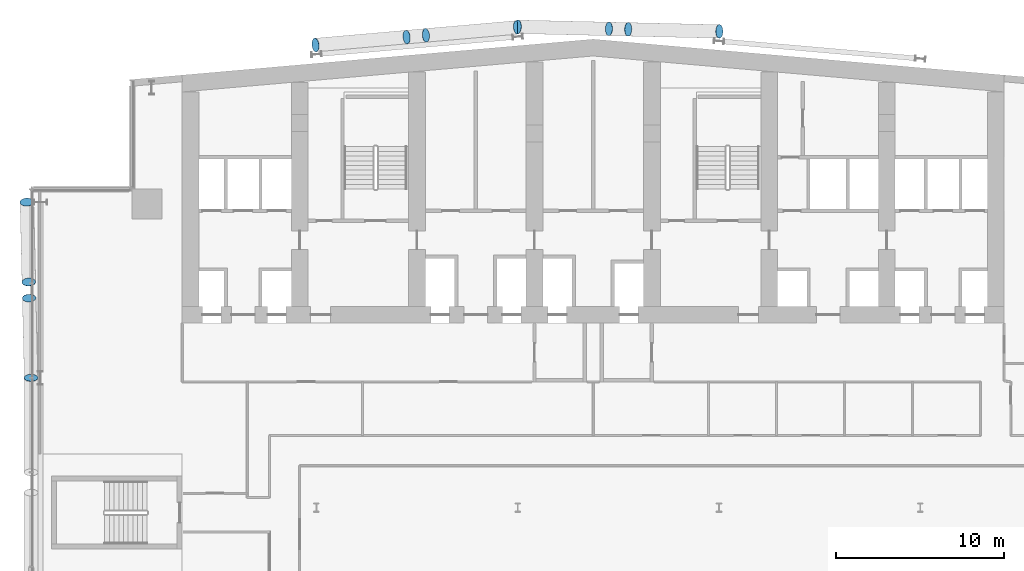
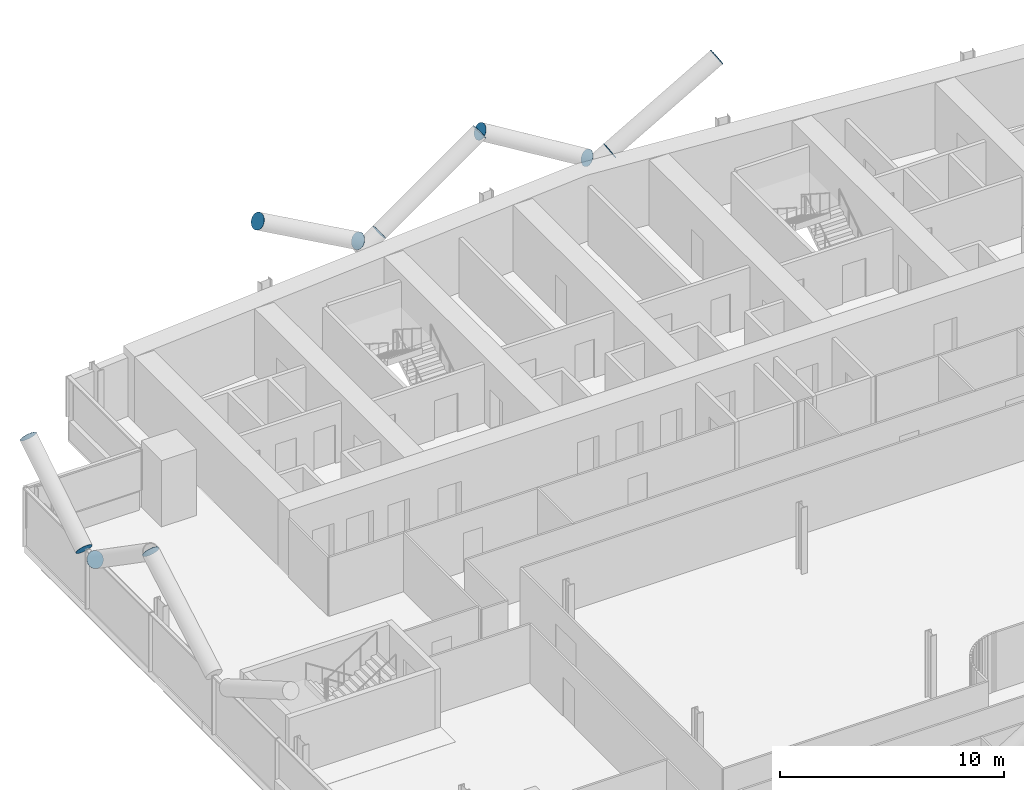
# One storey, part 26 of 31: 12 discrete accessories.
"""IFC4 building model written with IfcOpenShell, lengths in metres."""

from ifc_helpers import new_model, si_unit, direction, frame, origin, origin_2d, place, context, subcontext, project, spatial, circle, extrude, material, material_profile, profile_set, type_object, element, save


model = new_model("IFC4")

# Units and contexts
model_context = context("Model", 3, precision=1e-05, world=origin(), true_north=direction((0.0, 1.0)))
body_context = subcontext(model_context, "Body", "Model", "MODEL_VIEW")
ifc_project = project(units=[si_unit("LENGTHUNIT", "METRE"), si_unit("AREAUNIT", "SQUARE_METRE"), si_unit("VOLUMEUNIT", "CUBIC_METRE"), si_unit("PLANEANGLEUNIT", "RADIAN"), si_unit("MASSUNIT", "GRAM", prefix="KILO")], contexts=[model_context])

# Site, building, storey
site_placement = place(None, origin())
site = spatial("IfcSite", under=ifc_project, at=site_placement, CompositionType="ELEMENT")
building_placement = place(site_placement, origin())
building = spatial("IfcBuilding", under=site, at=building_placement, Name="Wharfspan Tower", CompositionType="ELEMENT")
storey_placement = place(building_placement, frame((0.0, 0.0, 103.899902)))
storey = spatial("IfcBuildingStorey", under=building, at=storey_placement, Name="L23", CompositionType="ELEMENT", Elevation=103.899902)

# Discrete accessories
ifc_material = material(Name="Steel S460NH", Category="steel")
ifc_material_profile = material_profile(ifc_material, circle(Radius=0.406494, at=origin_2d()))
ifc_profile_set = profile_set([ifc_material_profile], Name="Steel S460NH")
discrete_accessory_type = type_object("IfcDiscreteAccessoryType", Name="End plate CHS 813x40", PredefinedType="BRACKET", material=ifc_profile_set)
for number, where, z_axis, x_axis, name in (
    (1, (6.985107, 30.733398, 6.5), (0.0, 0.857493, 0.514496), (-1.0, 0.0, 0.0), "End plate CHS 813x40"),
    (2, (6.87085, 35.494385, 3.227539), (0.024354, -0.828038, 0.560143), (0.999568, 0.029399, 0.0), "End plate CHS 813x40"),
):
    element("IfcDiscreteAccessory", number, at=place(storey_placement, frame(where, z_axis=z_axis, x_axis=x_axis)), inside=storey, type_object=discrete_accessory_type, Name=name, PredefinedType="BRACKET", context=body_context, shape_type="SweptSolid", body=[
        extrude(circle(Radius=0.406494, at=origin_2d()), origin(), (0.0, 0.0, 1.0), 0.01001),
    ])
discrete_accessory_1_placement = place(storey_placement, frame((6.848145, 36.447021, 3.227539), z_axis=(-0.024853, 0.820145, 0.571616), x_axis=(-0.999542, -0.03029, 1e-06)))
element("IfcDiscreteAccessory", 3, at=discrete_accessory_1_placement, inside=storey, type_object=discrete_accessory_type, Name="End plate CHS 813x40", PredefinedType="BRACKET", context=body_context, shape_type="SweptSolid", body=[
    extrude(circle(Radius=0.406494, at=origin_2d()), origin(), (0.0, 0.0, 1.0), 0.009766),
])
discrete_accessory_2_placement = place(storey_placement, frame((6.734131, 41.208008, 6.5), z_axis=(-0.024022, 0.816732, 0.576517), x_axis=(-0.99957, -0.029399, -1e-06)))
element("IfcDiscreteAccessory", 4, at=discrete_accessory_2_placement, inside=storey, type_object=discrete_accessory_type, Name="End plate CHS 813x40", PredefinedType="BRACKET", context=body_context, shape_type="SweptSolid", body=[
    extrude(circle(Radius=0.406494, at=origin_2d()), origin(), (0.0, 0.0, 1.0), 0.010254),
])
for number, where, z_axis, x_axis, name in (
    (5, (42.581787, 51.515137, 3.241455), (0.857236, -0.024492, 0.514341), (0.028558, 0.999591, 2e-06), "End plate CHS 813x40"),
    (6, (48.012695, 51.390381, 6.5), (0.857493, 0.0, 0.514496), (0.0, 1.0, 0.0), "End plate CHS 813x40"),
    (7, (41.443604, 51.54126, 3.241455), (-0.857236, 0.024492, 0.514341), (-0.028558, -0.999591, 2e-06), "End plate CHS 813x40"),
    (8, (36.012939, 51.665771, 6.5), (-0.857236, 0.024492, 0.514341), (-0.028558, -0.999591, 2e-06), "End plate CHS 813x40"),
    (9, (30.52124, 51.156006, 3.241943), (0.855186, 0.073302, 0.513112), (-0.085402, 0.996345, 1e-06), "End plate CHS 813x40"),
    (10, (35.95166, 51.631104, 6.5), (0.855186, 0.073302, 0.513112), (-0.085402, 0.996345, 1e-06), "End plate CHS 813x40"),
    (11, (29.381836, 51.056396, 3.241943), (-0.853405, -0.097532, 0.512043), (0.113547, -0.993531, 1e-06), "End plate CHS 813x40"),
):
    element("IfcDiscreteAccessory", number, at=place(storey_placement, frame(where, z_axis=z_axis, x_axis=x_axis)), inside=storey, type_object=discrete_accessory_type, Name=name, PredefinedType="BRACKET", context=body_context, shape_type="SweptSolid", body=[
        extrude(circle(Radius=0.406494, at=origin_2d()), origin(), (0.0, 0.0, 1.0), 0.01001),
    ])
discrete_accessory_3_placement = place(storey_placement, frame((23.95166, 50.581299, 6.5), z_axis=(-0.859828, -0.095536, 0.501566), x_axis=(0.11043, -0.99388, -1e-06)))
element("IfcDiscreteAccessory", 12, at=discrete_accessory_3_placement, inside=storey, type_object=discrete_accessory_type, Name="End plate CHS 813x40", PredefinedType="BRACKET", context=body_context, shape_type="SweptSolid", body=[
    extrude(circle(Radius=0.406494, at=origin_2d()), origin(), (0.0, 0.0, 1.0), 0.010254),
])

save(model, "model.ifc")
